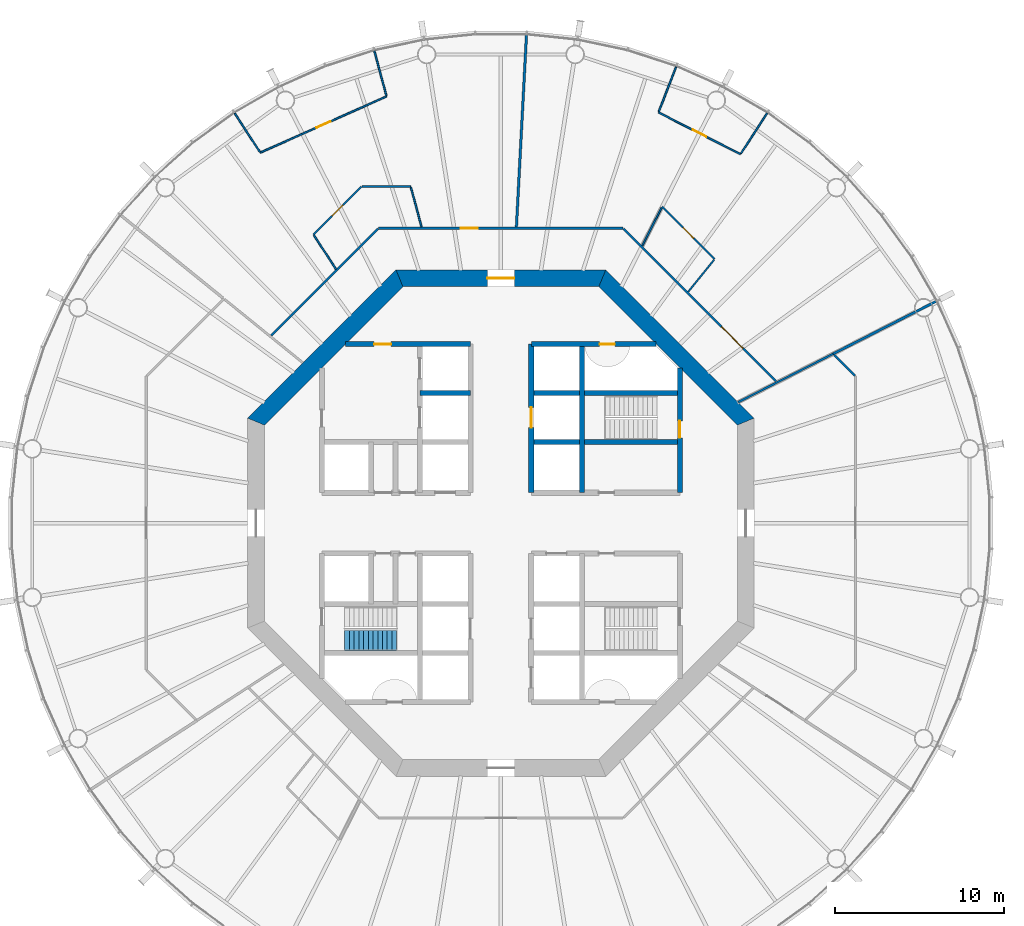
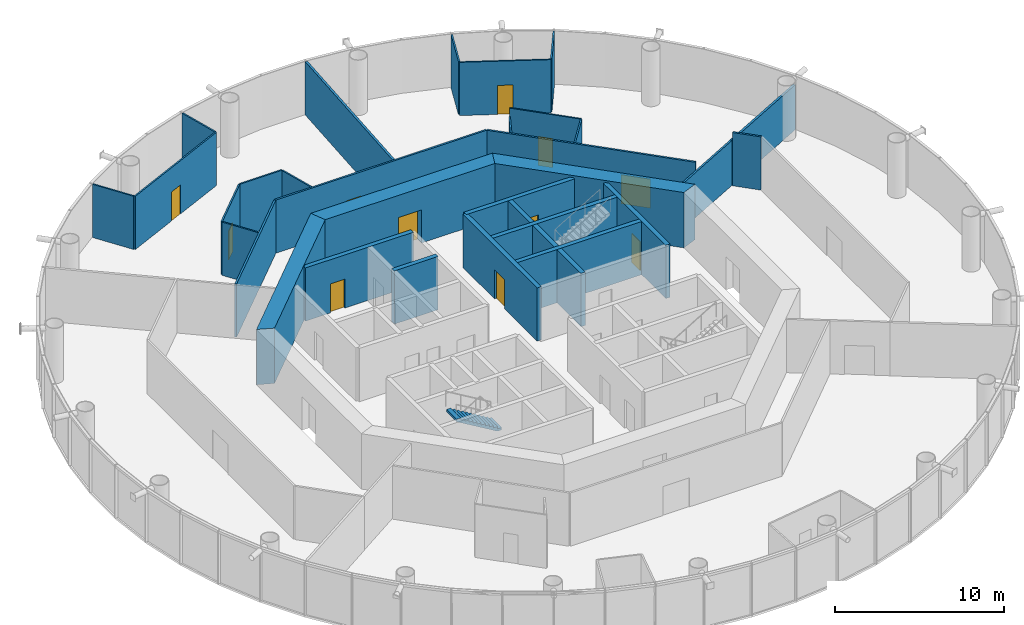
# One storey, part 5 of 17: 31 walls, 11 doors, 1 stair flight, 11 openings, 1 element without a shape of its own.
"""IFC4 building model written with IfcOpenShell, lengths in metres."""

from ifc_helpers import new_model, si_unit, direction, frame, frame_2d, origin, place, context, subcontext, project, spatial, polyline, rectangle, outline, extrude, material, layer, layer_set, type_object, element, fill, aggregate, save


model = new_model("IFC4")

# Units and contexts
model_context = context("Model", 3, precision=1e-05, world=origin(), true_north=direction((0.0, 1.0)))
body_context = subcontext(model_context, "Body", "Model", "MODEL_VIEW")
ifc_project = project(units=[si_unit("LENGTHUNIT", "METRE"), si_unit("AREAUNIT", "SQUARE_METRE"), si_unit("VOLUMEUNIT", "CUBIC_METRE"), si_unit("PLANEANGLEUNIT", "RADIAN"), si_unit("MASSUNIT", "GRAM", prefix="KILO")], contexts=[model_context])

# Site, building, storey
site_placement = place(None, origin())
site = spatial("IfcSite", under=ifc_project, at=site_placement, CompositionType="ELEMENT")
building_placement = place(site_placement, origin())
building = spatial("IfcBuilding", under=site, at=building_placement, Name="Entoto Ring Tower", CompositionType="ELEMENT")
storey_placement = place(building_placement, frame((0.0, 0.0, 160.0)))
storey = spatial("IfcBuildingStorey", under=building, at=storey_placement, Name="L36", CompositionType="ELEMENT", Elevation=160.0)

# Wall, opening, door
ifc_material_1 = material(Name="Concrete C40/50", Category="concrete")
ifc_layer_1 = layer(ifc_material_1, 0.300048828125)
ifc_layer_set_1 = layer_set([ifc_layer_1], Name="Concrete C40/50")
wall_type_1 = type_object("IfcWallType", Name="Core enclosure wall 300 mm reinforced concrete", PredefinedType="SOLIDWALL", material=ifc_layer_set_1)
wall_1_placement = place(storey_placement, frame((100.60009765625, 81.800048828125, 0.0), z_axis=(0.0, 0.0, 1.0), x_axis=(0.0, 1.0, 0.0)))
wall_1 = element("IfcWall", 1, at=wall_1_placement, inside=storey, type_object=wall_type_1, Name="wall-L36-002", PredefinedType="SOLIDWALL", context=body_context, shape_type="SweptSolid", body=[
    extrude(rectangle(XDim=7.39892578125, YDim=0.300048828125, at=frame_2d((3.699462890625, 0.0))), origin(), (0.0, 0.0, 1.0), 3.85009765625),
])
opening_1_placement = place(wall_1_placement, frame((3.25, 0.0, 0.0)))
opening_1 = element("IfcOpeningElement", 2, at=opening_1_placement, cuts=wall_1, Name="Opening K-17", PredefinedType="OPENING", context=body_context, shape_type="SweptSolid", body=[
    extrude(rectangle(XDim=1.0, YDim=2.10009765625, at=frame_2d((0.5, 1.050048828125))), frame((0.0, 0.16015625, 0.0), z_axis=(0.0, -1.0, 0.0), x_axis=(1.0, 0.0, 0.0)), (0.0, 0.0, 1.0), 0.320068359375),
])
ifc_material_2 = material(Name="Steel door leaf, fire rated", Category="steel")
ifc_layer_2 = layer(ifc_material_2, 0.050048828125)
ifc_layer_set_2 = layer_set([ifc_layer_2], Name="Steel door leaf, fire rated")
door_type_1 = type_object("IfcDoorType", Name="Fire door FD60 1000 x 2100 single leaf", OperationType="NOTDEFINED", PredefinedType="DOOR", material=ifc_layer_set_2)
door_1_placement = place(opening_1_placement, origin())
door_1 = element("IfcDoor", 3, at=door_1_placement, inside=storey, type_object=door_type_1, Name="Door K-17", OperationType="SINGLE_SWING_LEFT", OverallHeight=2.10009765625, OverallWidth=1.0, PredefinedType="DOOR", context=body_context, shape_type="SweptSolid", body=[
    extrude(rectangle(XDim=1.0, YDim=2.10009765625, at=frame_2d((0.5, 1.050048828125))), frame((0.0, 0.02490234375, 0.0), z_axis=(0.0, -1.0, 0.0), x_axis=(1.0, 0.0, 0.0)), (0.0, 0.0, 1.0), 0.050048828125),
])
fill(opening_1, door_1)

# Wall
wall_2_placement = place(storey_placement, frame((94.800048828125, 81.800048828125, 0.0), z_axis=(0.0, 0.0, 1.0), x_axis=(0.0, 1.0, 0.0)))
element("IfcWall", 4, at=wall_2_placement, inside=storey, type_object=wall_type_1, Name="wall-L36-004", PredefinedType="SOLIDWALL", context=body_context, shape_type="SweptSolid", body=[
    extrude(rectangle(XDim=8.800048828125, YDim=0.300048828125, at=frame_2d((4.39990234375, 0.0))), origin(), (0.0, 0.0, 1.0), 3.85009765625),
])

# Wall, opening, door
wall_3_placement = place(storey_placement, frame((91.800048828125, 81.800048828125, 0.0), z_axis=(0.0, 0.0, 1.0), x_axis=(0.0, 1.0, 0.0)))
wall_3 = element("IfcWall", 5, at=wall_3_placement, inside=storey, type_object=wall_type_1, Name="wall-L36-006", PredefinedType="SOLIDWALL", context=body_context, shape_type="SweptSolid", body=[
    extrude(rectangle(XDim=8.800048828125, YDim=0.300048828125, at=frame_2d((4.39990234375, 0.0))), origin(), (0.0, 0.0, 1.0), 3.85009765625),
])
opening_2_placement = place(wall_3_placement, frame((3.85009765625, 0.0, 0.0)))
opening_2 = element("IfcOpeningElement", 6, at=opening_2_placement, cuts=wall_3, Name="Opening LD", PredefinedType="OPENING", context=body_context, shape_type="SweptSolid", body=[
    extrude(rectangle(XDim=1.199951171875, YDim=2.10009765625, at=frame_2d((0.60009765625, 1.050048828125))), frame((0.0, 0.16015625, 0.0), z_axis=(0.0, -1.0, 0.0), x_axis=(1.0, 0.0, 0.0)), (0.0, 0.0, 1.0), 0.320068359375),
])
ifc_material_3 = material(Name="Steel and glass door leaf", Category="steel")
ifc_layer_3 = layer(ifc_material_3, 0.050048828125)
ifc_layer_set_3 = layer_set([ifc_layer_3], Name="Steel and glass door leaf")
door_type_2 = type_object("IfcDoorType", Name="Landing door 1200 x 2100 sliding", OperationType="DOUBLE_DOOR_SLIDING", PredefinedType="DOOR", material=ifc_layer_set_3)
door_2_placement = place(opening_2_placement, origin())
door_2 = element("IfcDoor", 7, at=door_2_placement, inside=storey, type_object=door_type_2, Name="Landing door LB1-MR", OperationType="SLIDING_TO_RIGHT", OverallHeight=2.10009765625, OverallWidth=1.199951171875, PredefinedType="DOOR", context=body_context, shape_type="SweptSolid", body=[
    extrude(rectangle(XDim=1.199951171875, YDim=2.10009765625, at=frame_2d((0.60009765625, 1.050048828125))), frame((0.0, 0.02490234375, 0.0), z_axis=(0.0, -1.0, 0.0), x_axis=(1.0, 0.0, 0.0)), (0.0, 0.0, 1.0), 0.050048828125),
])
fill(opening_2, door_2)

# Walls
wall_4_placement = place(storey_placement, frame((91.800048828125, 84.800048828125, 0.0), z_axis=(0.0, 0.0, 1.0), x_axis=(1.0, 0.0, 0.0)))
element("IfcWall", 8, at=wall_4_placement, inside=storey, type_object=wall_type_1, Name="wall-L36-028", PredefinedType="SOLIDWALL", context=body_context, shape_type="SweptSolid", body=[
    extrude(rectangle(XDim=8.800048828125, YDim=0.300048828125, at=frame_2d((4.39990234375, 0.0))), origin(), (0.0, 0.0, 1.0), 3.85009765625),
])
wall_5_placement = place(storey_placement, frame((85.199951171875, 87.699951171875, 0.0), z_axis=(0.0, 0.0, 1.0), x_axis=(1.0, 0.0, 0.0)))
element("IfcWall", 9, at=wall_5_placement, inside=storey, type_object=wall_type_1, Name="wall-L36-029", PredefinedType="SOLIDWALL", context=body_context, shape_type="SweptSolid", body=[
    extrude(rectangle(XDim=3.0, YDim=0.300048828125, at=frame_2d((1.5, 0.0))), origin(), (0.0, 0.0, 1.0), 3.85009765625),
])
wall_6_placement = place(storey_placement, frame((91.800048828125, 87.699951171875, 0.0), z_axis=(0.0, 0.0, 1.0), x_axis=(1.0, 0.0, 0.0)))
element("IfcWall", 10, at=wall_6_placement, inside=storey, type_object=wall_type_1, Name="wall-L36-030", PredefinedType="SOLIDWALL", context=body_context, shape_type="SweptSolid", body=[
    extrude(rectangle(XDim=8.800048828125, YDim=0.300048828125, at=frame_2d((4.39990234375, 0.0))), origin(), (0.0, 0.0, 1.0), 3.85009765625),
])

# Wall, opening, door
wall_7_placement = place(storey_placement, frame((80.801025390625, 90.60009765625, 0.0), z_axis=(0.0, 0.0, 1.0), x_axis=(1.0, 0.0, 0.0)))
wall_7 = element("IfcWall", 11, at=wall_7_placement, inside=storey, type_object=wall_type_1, Name="wall-L36-031", PredefinedType="SOLIDWALL", context=body_context, shape_type="SweptSolid", body=[
    extrude(rectangle(XDim=7.39892578125, YDim=0.300048828125, at=frame_2d((3.699462890625, 0.0))), origin(), (0.0, 0.0, 1.0), 3.85009765625),
])
opening_3_placement = place(wall_7_placement, frame((1.698974609375, 0.0, 0.0)))
opening_3 = element("IfcOpeningElement", 12, at=opening_3_placement, cuts=wall_7, Name="Opening K-73", PredefinedType="OPENING", context=body_context, shape_type="SweptSolid", body=[
    extrude(rectangle(XDim=1.0, YDim=2.10009765625, at=frame_2d((0.5, 1.050048828125))), frame((0.0, 0.16015625, 0.0), z_axis=(0.0, -1.0, 0.0), x_axis=(1.0, 0.0, 0.0)), (0.0, 0.0, 1.0), 0.320068359375),
])
door_3_placement = place(opening_3_placement, frame((1.0, 0.0, 0.0), z_axis=(0.0, 0.0, 1.0), x_axis=(-1.0, 0.0, 0.0)))
door_3 = element("IfcDoor", 13, at=door_3_placement, inside=storey, type_object=door_type_1, Name="Door K-73", OperationType="SINGLE_SWING_LEFT", OverallHeight=2.10009765625, OverallWidth=1.0, PredefinedType="DOOR", context=body_context, shape_type="SweptSolid", body=[
    extrude(rectangle(XDim=1.0, YDim=2.10009765625, at=frame_2d((0.5, 1.050048828125))), frame((0.0, 0.02490234375, 0.0), z_axis=(0.0, -1.0, 0.0), x_axis=(1.0, 0.0, 0.0)), (0.0, 0.0, 1.0), 0.050048828125),
])
fill(opening_3, door_3)

wall_8_placement = place(storey_placement, frame((91.800048828125, 90.60009765625, 0.0), z_axis=(0.0, 0.0, 1.0), x_axis=(1.0, 0.0, 0.0)))
wall_8 = element("IfcWall", 14, at=wall_8_placement, inside=storey, type_object=wall_type_1, Name="wall-L36-032", PredefinedType="SOLIDWALL", context=body_context, shape_type="SweptSolid", body=[
    extrude(rectangle(XDim=7.39892578125, YDim=0.300048828125, at=frame_2d((3.699462890625, 0.0))), origin(), (0.0, 0.0, 1.0), 3.85009765625),
])
opening_4_placement = place(wall_8_placement, frame((4.050048828125, 0.0, 0.0)))
opening_4 = element("IfcOpeningElement", 15, at=opening_4_placement, cuts=wall_8, Name="Opening K-20", PredefinedType="OPENING", context=body_context, shape_type="SweptSolid", body=[
    extrude(rectangle(XDim=0.89990234375, YDim=2.10009765625, at=frame_2d((0.449951171875, 1.050048828125))), frame((0.0, 0.16015625, 0.0), z_axis=(0.0, -1.0, 0.0), x_axis=(1.0, 0.0, 0.0)), (0.0, 0.0, 1.0), 0.320068359375),
])
ifc_material_4 = material(Name="Steel door leaf, fire rated", Category="steel")
ifc_layer_4 = layer(ifc_material_4, 0.050048828125)
ifc_layer_set_4 = layer_set([ifc_layer_4], Name="Steel door leaf, fire rated")
door_type_3 = type_object("IfcDoorType", Name="Riser door FD60 900 x 2100 single leaf", OperationType="NOTDEFINED", PredefinedType="DOOR", material=ifc_layer_set_4)
door_4_placement = place(opening_4_placement, frame((0.89990234375, 0.0, 0.0), z_axis=(0.0, 0.0, 1.0), x_axis=(-1.0, 0.0, 0.0)))
door_4 = element("IfcDoor", 16, at=door_4_placement, inside=storey, type_object=door_type_3, Name="Door K-20", OperationType="SINGLE_SWING_RIGHT", OverallHeight=2.10009765625, OverallWidth=0.89990234375, PredefinedType="DOOR", context=body_context, shape_type="SweptSolid", body=[
    extrude(rectangle(XDim=0.89990234375, YDim=2.10009765625, at=frame_2d((0.449951171875, 1.050048828125))), frame((0.0, 0.02490234375, 0.0), z_axis=(0.0, -1.0, 0.0), x_axis=(1.0, 0.0, 0.0)), (0.0, 0.0, 1.0), 0.050048828125),
])
fill(opening_4, door_4)

# Wall
ifc_material_5 = material(Name="Concrete C50/60", Category="concrete")
ifc_layer_5 = layer(ifc_material_5, 1.0)
ifc_layer_set_5 = layer_set([ifc_layer_5], Name="Concrete C50/60")
wall_type_2 = type_object("IfcWallType", Name="Core shear wall 1000 mm reinforced concrete C50/60", PredefinedType="SHEAR", material=ifc_layer_set_5)
wall_9_placement = place(storey_placement, frame((104.5, 86.006103515625, 0.0), z_axis=(0.0, 0.0, 1.0), x_axis=(-0.707106781187, 0.707106781187, 0.0)))
element("IfcWall", 17, at=wall_9_placement, inside=storey, type_object=wall_type_2, Name="wall-L36-core-1", PredefinedType="SHEAR", context=body_context, shape_type="SweptSolid", body=[
    extrude(outline(polyline([(-0.20703125, -0.5), (12.21923828125, -0.5), (11.80517578125, 0.5), (0.20703125, 0.5), (-0.20703125, -0.5)])), origin(), (0.0, 0.0, 1.0), 4.0),
])

# Wall, opening, door
wall_10_placement = place(storey_placement, frame((96.006103515625, 94.5, 0.0), z_axis=(0.0, 0.0, 1.0), x_axis=(-1.0, 0.0, 0.0)))
wall_10 = element("IfcWall", 18, at=wall_10_placement, inside=storey, type_object=wall_type_2, Name="wall-L36-core-2", PredefinedType="SHEAR", context=body_context, shape_type="SweptSolid", body=[
    extrude(outline(polyline([(-0.20703125, -0.5), (12.21923828125, -0.5), (11.80517578125, 0.5), (0.20703125, 0.5), (-0.20703125, -0.5)])), origin(), (0.0, 0.0, 1.0), 4.0),
])
opening_5_placement = place(wall_10_placement, frame((5.2060546875, 0.0, 0.0)))
opening_5 = element("IfcOpeningElement", 19, at=opening_5_placement, cuts=wall_10, Name="Opening K-02", PredefinedType="OPENING", context=body_context, shape_type="SweptSolid", body=[
    extrude(rectangle(XDim=1.60009765625, YDim=2.39990234375, at=frame_2d((0.800048828125, 1.199951171875))), frame((0.0, 0.510009765625, 0.0), z_axis=(0.0, -1.0, 0.0), x_axis=(1.0, 0.0, 0.0)), (0.0, 0.0, 1.0), 1.02001953125),
])
ifc_material_6 = material(Name="Steel door leaf, fire rated", Category="steel")
ifc_layer_6 = layer(ifc_material_6, 0.050048828125)
ifc_layer_set_6 = layer_set([ifc_layer_6], Name="Steel door leaf, fire rated")
door_type_4 = type_object("IfcDoorType", Name="Entrance door FD60 1600 x 2400 double leaf", OperationType="DOUBLE_DOOR_SINGLE_SWING", PredefinedType="DOOR", material=ifc_layer_set_6)
door_5_placement = place(opening_5_placement, origin())
door_5 = element("IfcDoor", 20, at=door_5_placement, inside=storey, type_object=door_type_4, Name="Entrance door K-02", OperationType="DOUBLE_DOOR_SINGLE_SWING", OverallHeight=2.39990234375, OverallWidth=1.60009765625, PredefinedType="DOOR", context=body_context, shape_type="SweptSolid", body=[
    extrude(rectangle(XDim=1.60009765625, YDim=2.39990234375, at=frame_2d((0.800048828125, 1.199951171875))), frame((0.0, 0.02490234375, 0.0), z_axis=(0.0, -1.0, 0.0), x_axis=(1.0, 0.0, 0.0)), (0.0, 0.0, 1.0), 0.050048828125),
])
fill(opening_5, door_5)

# Wall
wall_11_placement = place(storey_placement, frame((83.993896484375, 94.5, 0.0), z_axis=(0.0, 0.0, 1.0), x_axis=(-0.707106781187, -0.707106781187, 0.0)))
element("IfcWall", 21, at=wall_11_placement, inside=storey, type_object=wall_type_2, Name="wall-L36-core-3", PredefinedType="SHEAR", context=body_context, shape_type="SweptSolid", body=[
    extrude(outline(polyline([(-0.20703125, -0.5), (12.21923828125, -0.5), (11.80517578125, 0.5), (0.20703125, 0.5), (-0.20703125, -0.5)])), origin(), (0.0, 0.0, 1.0), 4.0),
])

# Wall, opening, door
ifc_material_7 = material(Name="Fire-resisting plasterboard on steel studs", Category="steel")
ifc_layer_7 = layer(ifc_material_7, 0.125)
ifc_layer_set_7 = layer_set([ifc_layer_7], Name="Fire-resisting plasterboard on steel studs")
wall_type_3 = type_object("IfcWallType", Name="Corridor wall 125 mm one-hour plasterboard on steel studs", PredefinedType="PARTITIONING", material=ifc_layer_set_7)
wall_12_placement = place(storey_placement, frame((82.766845703125, 97.46240234375, 0.0), z_axis=(0.0, 0.0, 1.0), x_axis=(1.0, 0.0, 0.0)))
wall_12 = element("IfcWall", 22, at=wall_12_placement, inside=storey, type_object=wall_type_3, Name="partition-L36-004", PredefinedType="PARTITIONING", context=body_context, shape_type="SweptSolid", body=[
    extrude(rectangle(XDim=14.46630859375, YDim=0.125, at=frame_2d((7.233154296875, 0.0))), origin(), (0.0, 0.0, 1.0), 3.85009765625),
])
opening_6_placement = place(wall_12_placement, frame((4.851318359375, 0.0, 0.0)))
opening_6 = element("IfcOpeningElement", 23, at=opening_6_placement, cuts=wall_12, Name="Opening A16-D06", PredefinedType="OPENING", context=body_context, shape_type="SweptSolid", body=[
    extrude(rectangle(XDim=1.0, YDim=2.10009765625, at=frame_2d((0.5, 1.050048828125))), frame((0.0, 0.072509765625, 0.0), z_axis=(0.0, -1.0, 0.0), x_axis=(1.0, 0.0, 0.0)), (0.0, 0.0, 1.0), 0.14501953125),
])
ifc_material_8 = material(Name="Fire-resisting timber door set", Category="wood")
door_type_5 = type_object("IfcDoorType", Name="Door 1000 x 2100 single leaf FD30S fire door", OperationType="NOTDEFINED", PredefinedType="DOOR", material=ifc_material_8)
door_6_placement = place(opening_6_placement, origin())
door_6 = element("IfcDoor", 24, at=door_6_placement, inside=storey, type_object=door_type_5, Name="Door A16-D06", OperationType="SINGLE_SWING_RIGHT", OverallHeight=2.10009765625, OverallWidth=1.0, PredefinedType="DOOR", context=body_context, shape_type="SweptSolid", body=[
    extrude(rectangle(XDim=1.0, YDim=2.10009765625, at=frame_2d((0.5, 1.050048828125))), frame((0.0, 0.02490234375, 0.0), z_axis=(0.0, -1.0, 0.0), x_axis=(1.0, 0.0, 0.0)), (0.0, 0.0, 1.0), 0.050048828125),
])
fill(opening_6, door_6)

wall_13_placement = place(storey_placement, frame((106.29931640625, 88.396484375, 0.0), z_axis=(0.0, 0.0, 1.0), x_axis=(-0.707106781187, 0.707106781187, 0.0)))
wall_13 = element("IfcWall", 25, at=wall_13_placement, inside=storey, type_object=wall_type_3, Name="partition-L36-005", PredefinedType="PARTITIONING", context=body_context, shape_type="SweptSolid", body=[
    extrude(rectangle(XDim=12.77734375, YDim=0.125, at=frame_2d((6.388671875, 0.0))), origin(), (0.0, 0.0, 1.0), 3.85009765625),
])
opening_7_placement = place(wall_13_placement, frame((2.768798828125, 0.0, 0.0)))
opening_7 = element("IfcOpeningElement", 26, at=opening_7_placement, cuts=wall_13, Name="Opening A16-D03", PredefinedType="OPENING", context=body_context, shape_type="SweptSolid", body=[
    extrude(rectangle(XDim=1.800048828125, YDim=2.10009765625, at=frame_2d((0.89990234375, 1.050048828125))), frame((0.0, 0.072509765625, 0.0), z_axis=(0.0, -1.0, 0.0), x_axis=(1.0, 0.0, 0.0)), (0.0, 0.0, 1.0), 0.14501953125),
])
ifc_material_9 = material(Name="Fire-resisting timber door set", Category="wood")
door_type_6 = type_object("IfcDoorType", Name="Door 1800 x 2100 double leaf FD30S fire door", OperationType="DOUBLE_DOOR_SINGLE_SWING", PredefinedType="DOOR", material=ifc_material_9)
door_7_placement = place(opening_7_placement, frame((1.800048828125, 0.0, 0.0), z_axis=(0.0, 0.0, 1.0), x_axis=(-1.0, 0.0, 0.0)))
door_7 = element("IfcDoor", 27, at=door_7_placement, inside=storey, type_object=door_type_6, Name="Door A16-D03", OperationType="DOUBLE_DOOR_SINGLE_SWING", OverallHeight=2.10009765625, OverallWidth=1.800048828125, PredefinedType="DOOR", context=body_context, shape_type="SweptSolid", body=[
    extrude(rectangle(XDim=1.800048828125, YDim=2.10009765625, at=frame_2d((0.89990234375, 1.050048828125))), frame((0.0, 0.02490234375, 0.0), z_axis=(0.0, -1.0, 0.0), x_axis=(1.0, 0.0, 0.0)), (0.0, 0.0, 1.0), 0.050048828125),
])
fill(opening_7, door_7)

# Walls
wall_14_placement = place(storey_placement, frame((76.4033203125, 91.09912109375, 0.0), z_axis=(0.0, 0.0, 1.0), x_axis=(0.707106781187, 0.707106781187, 0.0)))
element("IfcWall", 28, at=wall_14_placement, inside=storey, type_object=wall_type_3, Name="partition-L36-008", PredefinedType="PARTITIONING", context=body_context, shape_type="SweptSolid", body=[
    extrude(rectangle(XDim=8.955078125, YDim=0.125, at=frame_2d((4.4775390625, 0.0))), origin(), (0.0, 0.0, 1.0), 3.85009765625),
])
wall_15_placement = place(storey_placement, frame((110.968994140625, 88.7294921875, 0.0), z_axis=(0.0, 0.0, 1.0), x_axis=(-0.707106781187, 0.707106781187, 0.0)))
element("IfcWall", 29, at=wall_15_placement, inside=storey, type_object=wall_type_3, Name="partition-L36-016", PredefinedType="PARTITIONING", context=body_context, shape_type="SweptSolid", body=[
    extrude(rectangle(XDim=1.732177734375, YDim=0.125, at=frame_2d((0.8662109375, 0.0))), origin(), (0.0, 0.0, 1.0), 3.85009765625),
])
ifc_material_10 = material(Name="Fire-resisting plasterboard on steel studs", Category="steel")
ifc_layer_8 = layer(ifc_material_10, 0.125)
ifc_layer_set_8 = layer_set([ifc_layer_8], Name="Fire-resisting plasterboard on steel studs")
wall_type_4 = type_object("IfcWallType", Name="Corridor wall 125 mm one-hour plasterboard on steel studs, 3250 mm high", PredefinedType="PARTITIONING", material=ifc_layer_set_8)
wall_16_placement = place(storey_placement, frame((104.052978515625, 87.160400390625, 0.0), z_axis=(0.0, 0.0, 1.0), x_axis=(0.891011438751, 0.453980854238, 0.0)))
element("IfcWall", 30, at=wall_16_placement, inside=storey, type_object=wall_type_4, Name="partition-L36-010", PredefinedType="PARTITIONING", context=body_context, shape_type="SweptSolid", body=[
    extrude(rectangle(XDim=6.30859375, YDim=0.125, at=frame_2d((3.154296875, 0.0))), origin(), (0.0, 0.0, 1.0), 3.25),
])

# Wall, opening, door
ifc_material_11 = material(Name="Plasterboard on steel studs", Category="steel")
ifc_layer_9 = layer(ifc_material_11, 0.10009765625)
ifc_layer_set_9 = layer_set([ifc_layer_9], Name="Plasterboard on steel studs")
wall_type_5 = type_object("IfcWallType", Name="Partition 100 mm plasterboard on steel studs", PredefinedType="PARTITIONING", material=ifc_layer_set_9)
wall_17_placement = place(storey_placement, frame((75.752197265625, 101.939697265625, 0.0), z_axis=(0.0, 0.0, 1.0), x_axis=(0.913551816453, 0.406722360652, 0.0)))
wall_17 = element("IfcWall", 31, at=wall_17_placement, inside=storey, type_object=wall_type_5, Name="partition-L36-022", PredefinedType="PARTITIONING", context=body_context, shape_type="SweptSolid", body=[
    extrude(rectangle(XDim=8.1845703125, YDim=0.10009765625, at=frame_2d((4.09228515625, 0.0))), origin(), (0.0, 0.0, 1.0), 3.85009765625),
])
opening_8_placement = place(wall_17_placement, frame((3.642333984375, 0.0, 0.0)))
opening_8 = element("IfcOpeningElement", 32, at=opening_8_placement, cuts=wall_17, Name="Opening A16-D08", PredefinedType="OPENING", context=body_context, shape_type="SweptSolid", body=[
    extrude(rectangle(XDim=0.89990234375, YDim=2.10009765625, at=frame_2d((0.449951171875, 1.050048828125))), frame((0.0, 0.06005859375, 0.0), z_axis=(0.0, -1.0, 0.0), x_axis=(1.0, 0.0, 0.0)), (0.0, 0.0, 1.0), 0.1201171875),
])
ifc_material_12 = material(Name="Veneered timber door leaf in timber frame", Category="wood")
door_type_7 = type_object("IfcDoorType", Name="Door 900 x 2100 single leaf timber veneer", OperationType="NOTDEFINED", PredefinedType="DOOR", material=ifc_material_12)
door_8_placement = place(opening_8_placement, origin())
door_8 = element("IfcDoor", 33, at=door_8_placement, inside=storey, type_object=door_type_7, Name="Door A16-D08", OperationType="SINGLE_SWING_LEFT", OverallHeight=2.10009765625, OverallWidth=0.89990234375, PredefinedType="DOOR", context=body_context, shape_type="SweptSolid", body=[
    extrude(rectangle(XDim=0.89990234375, YDim=2.10009765625, at=frame_2d((0.449951171875, 1.050048828125))), frame((0.0, 0.02490234375, 0.0), z_axis=(0.0, -1.0, 0.0), x_axis=(1.0, 0.0, 0.0)), (0.0, 0.0, 1.0), 0.050048828125),
])
fill(opening_8, door_8)

wall_18_placement = place(storey_placement, frame((104.187744140625, 101.847412109375, 0.0), z_axis=(0.0, 0.0, 1.0), x_axis=(-0.891003229328, 0.453996966209, 0.0)))
wall_18 = element("IfcWall", 34, at=wall_18_placement, inside=storey, type_object=wall_type_5, Name="partition-L36-024", PredefinedType="PARTITIONING", context=body_context, shape_type="SweptSolid", body=[
    extrude(rectangle(XDim=5.44580078125, YDim=0.10009765625, at=frame_2d((2.722900390625, 0.0))), origin(), (0.0, 0.0, 1.0), 3.85009765625),
])
opening_9_placement = place(wall_18_placement, frame((2.27294921875, 0.0, 0.0)))
opening_9 = element("IfcOpeningElement", 35, at=opening_9_placement, cuts=wall_18, Name="Opening A16-D05", PredefinedType="OPENING", context=body_context, shape_type="SweptSolid", body=[
    extrude(rectangle(XDim=0.89990234375, YDim=2.10009765625, at=frame_2d((0.449951171875, 1.050048828125))), frame((0.0, 0.06005859375, 0.0), z_axis=(0.0, -1.0, 0.0), x_axis=(1.0, 0.0, 0.0)), (0.0, 0.0, 1.0), 0.1201171875),
])
door_9_placement = place(opening_9_placement, frame((0.89990234375, 0.0, 0.0), z_axis=(0.0, 0.0, 1.0), x_axis=(-1.0, 0.0, 0.0)))
door_9 = element("IfcDoor", 36, at=door_9_placement, inside=storey, type_object=door_type_7, Name="Door A16-D05", OperationType="SINGLE_SWING_LEFT", OverallHeight=2.10009765625, OverallWidth=0.89990234375, PredefinedType="DOOR", context=body_context, shape_type="SweptSolid", body=[
    extrude(rectangle(XDim=0.89990234375, YDim=2.10009765625, at=frame_2d((0.449951171875, 1.050048828125))), frame((0.0, 0.02490234375, 0.0), z_axis=(0.0, -1.0, 0.0), x_axis=(1.0, 0.0, 0.0)), (0.0, 0.0, 1.0), 0.050048828125),
])
fill(opening_9, door_9)

wall_19_placement = place(storey_placement, frame((102.6572265625, 95.630615234375, 0.0), z_axis=(0.0, 0.0, 1.0), x_axis=(-0.707106781187, 0.707106781187, 0.0)))
wall_19 = element("IfcWall", 37, at=wall_19_placement, inside=storey, type_object=wall_type_5, Name="partition-L36-026", PredefinedType="PARTITIONING", context=body_context, shape_type="SweptSolid", body=[
    extrude(rectangle(XDim=4.396728515625, YDim=0.10009765625, at=frame_2d((2.1982421875, 0.0))), origin(), (0.0, 0.0, 1.0), 3.85009765625),
])
opening_10_placement = place(wall_19_placement, frame((1.748291015625, 0.0, 0.0)))
opening_10 = element("IfcOpeningElement", 38, at=opening_10_placement, cuts=wall_19, Name="Opening A16-D04", PredefinedType="OPENING", context=body_context, shape_type="SweptSolid", body=[
    extrude(rectangle(XDim=0.89990234375, YDim=2.10009765625, at=frame_2d((0.449951171875, 1.050048828125))), frame((0.0, 0.06005859375, 0.0), z_axis=(0.0, -1.0, 0.0), x_axis=(1.0, 0.0, 0.0)), (0.0, 0.0, 1.0), 0.1201171875),
])
door_10_placement = place(opening_10_placement, origin())
door_10 = element("IfcDoor", 39, at=door_10_placement, inside=storey, type_object=door_type_7, Name="Door A16-D04", OperationType="SINGLE_SWING_RIGHT", OverallHeight=2.10009765625, OverallWidth=0.89990234375, PredefinedType="DOOR", context=body_context, shape_type="SweptSolid", body=[
    extrude(rectangle(XDim=0.89990234375, YDim=2.10009765625, at=frame_2d((0.449951171875, 1.050048828125))), frame((0.0, 0.02490234375, 0.0), z_axis=(0.0, -1.0, 0.0), x_axis=(1.0, 0.0, 0.0)), (0.0, 0.0, 1.0), 0.050048828125),
])
fill(opening_10, door_10)

wall_20_placement = place(storey_placement, frame((78.901611328125, 97.09033203125, 0.0), z_axis=(0.0, 0.0, 1.0), x_axis=(0.707076410445, 0.707137150623, 0.0)))
wall_20 = element("IfcWall", 40, at=wall_20_placement, inside=storey, type_object=wall_type_5, Name="partition-L36-027", PredefinedType="PARTITIONING", context=body_context, shape_type="SweptSolid", body=[
    extrude(rectangle(XDim=4.01953125, YDim=0.10009765625, at=frame_2d((2.009765625, 0.0))), origin(), (0.0, 0.0, 1.0), 3.85009765625),
])
opening_11_placement = place(wall_20_placement, frame((1.559814453125, 0.0, 0.0)))
opening_11 = element("IfcOpeningElement", 41, at=opening_11_placement, cuts=wall_20, Name="Opening A16-D07", PredefinedType="OPENING", context=body_context, shape_type="SweptSolid", body=[
    extrude(rectangle(XDim=0.89990234375, YDim=2.10009765625, at=frame_2d((0.449951171875, 1.050048828125))), frame((0.0, 0.06005859375, 0.0), z_axis=(0.0, -1.0, 0.0), x_axis=(1.0, 0.0, 0.0)), (0.0, 0.0, 1.0), 0.1201171875),
])
door_11_placement = place(opening_11_placement, frame((0.89990234375, 0.0, 0.0), z_axis=(0.0, 0.0, 1.0), x_axis=(-1.0, 0.0, 0.0)))
door_11 = element("IfcDoor", 42, at=door_11_placement, inside=storey, type_object=door_type_7, Name="Door A16-D07", OperationType="SINGLE_SWING_RIGHT", OverallHeight=2.10009765625, OverallWidth=0.89990234375, PredefinedType="DOOR", context=body_context, shape_type="SweptSolid", body=[
    extrude(rectangle(XDim=0.89990234375, YDim=2.10009765625, at=frame_2d((0.449951171875, 1.050048828125))), frame((0.0, 0.02490234375, 0.0), z_axis=(0.0, -1.0, 0.0), x_axis=(1.0, 0.0, 0.0)), (0.0, 0.0, 1.0), 0.050048828125),
])
fill(opening_11, door_11)

# Walls
wall_21_placement = place(storey_placement, frame((81.77880859375, 99.9326171875, 0.0), z_axis=(0.0, 0.0, 1.0), x_axis=(1.0, 0.0, 0.0)))
element("IfcWall", 43, at=wall_21_placement, inside=storey, type_object=wall_type_5, Name="partition-L36-030", PredefinedType="PARTITIONING", context=body_context, shape_type="SweptSolid", body=[
    extrude(rectangle(XDim=2.88037109375, YDim=0.10009765625, at=frame_2d((1.440185546875, 0.0))), origin(), (0.0, 0.0, 1.0), 3.85009765625),
])
for number, where, z_axis, x_axis, name in (
    (44, (99.353271484375, 104.3662109375, 0.0), (0.0, 0.0, 1.0), (0.358356915228, 0.9335846621, 0.0), "partition-L36-031"),
    (45, (104.21484375, 101.888916015625, 0.0), (0.0, 0.0, 1.0), (0.544683174353, 0.838641901872, 0.0), "partition-L36-032"),
):
    element("IfcWall", number, at=place(storey_placement, frame(where, z_axis=z_axis, x_axis=x_axis)), inside=storey, type_object=wall_type_5, Name=name, PredefinedType="PARTITIONING", context=body_context, shape_type="SweptSolid", body=[
        extrude(rectangle(XDim=2.84033203125, YDim=0.10009765625, at=frame_2d((1.420166015625, 0.0))), origin(), (0.0, 0.0, 1.0), 3.85009765625),
    ])
for number, where, z_axis, x_axis, name in (
    (46, (75.725341796875, 101.98095703125, 0.0), (0.0, 0.0, 1.0), (-0.544674048397, 0.83864782895, 0.0), "partition-L36-033"),
    (47, (83.216552734375, 105.316162109375, 0.0), (0.0, 0.0, 1.0), (-0.258825461821, 0.965924106912, 0.0), "partition-L36-034"),
):
    element("IfcWall", number, at=place(storey_placement, frame(where, z_axis=z_axis, x_axis=x_axis)), inside=storey, type_object=wall_type_5, Name=name, PredefinedType="PARTITIONING", context=body_context, shape_type="SweptSolid", body=[
        extrude(rectangle(XDim=2.730712890625, YDim=0.10009765625, at=frame_2d((1.365234375, 0.0))), origin(), (0.0, 0.0, 1.0), 3.85009765625),
    ])
wall_22_placement = place(storey_placement, frame((85.30078125, 97.537841796875, 0.0), z_axis=(0.0, 0.0, 1.0), x_axis=(-0.258806364148, 0.965929224051, 0.0)))
element("IfcWall", 48, at=wall_22_placement, inside=storey, type_object=wall_type_5, Name="partition-L36-041", PredefinedType="PARTITIONING", context=body_context, shape_type="SweptSolid", body=[
    extrude(rectangle(XDim=2.430908203125, YDim=0.10009765625, at=frame_2d((1.21533203125, 0.0))), origin(), (0.0, 0.0, 1.0), 3.85009765625),
])
wall_23_placement = place(storey_placement, frame((101.093017578125, 93.698486328125, 0.0), z_axis=(0.0, 0.0, 1.0), x_axis=(0.629327945693, 0.777139843766, 0.0)))
element("IfcWall", 49, at=wall_23_placement, inside=storey, type_object=wall_type_5, Name="partition-L36-042", PredefinedType="PARTITIONING", context=body_context, shape_type="SweptSolid", body=[
    extrude(rectangle(XDim=2.436279296875, YDim=0.10009765625, at=frame_2d((1.21826171875, 0.0))), origin(), (0.0, 0.0, 1.0), 3.85009765625),
])
wall_24_placement = place(storey_placement, frame((80.236083984375, 95.034912109375, 0.0), z_axis=(0.0, 0.0, 1.0), x_axis=(-0.544620299585, 0.838682734579, 0.0)))
element("IfcWall", 50, at=wall_24_placement, inside=storey, type_object=wall_type_5, Name="partition-L36-043", PredefinedType="PARTITIONING", context=body_context, shape_type="SweptSolid", body=[
    extrude(rectangle(XDim=2.40185546875, YDim=0.10009765625, at=frame_2d((1.200927734375, 0.0))), origin(), (0.0, 0.0, 1.0), 3.85009765625),
])
ifc_material_13 = material(Name="Plasterboard on steel studs", Category="steel")
ifc_layer_10 = layer(ifc_material_13, 0.10009765625)
ifc_layer_set_10 = layer_set([ifc_layer_10], Name="Plasterboard on steel studs")
wall_type_6 = type_object("IfcWallType", Name="Partition 100 mm plasterboard on steel studs, 3250 mm high", PredefinedType="PARTITIONING", material=ifc_layer_set_10)
wall_25_placement = place(storey_placement, frame((98.372802734375, 96.432861328125, 0.0), z_axis=(0.0, 0.0, 1.0), x_axis=(0.454020100555, 0.8909914412, 0.0)))
element("IfcWall", 51, at=wall_25_placement, inside=storey, type_object=wall_type_6, Name="partition-L36-039", PredefinedType="PARTITIONING", context=body_context, shape_type="SweptSolid", body=[
    extrude(rectangle(XDim=2.520263671875, YDim=0.10009765625, at=frame_2d((1.26025390625, 0.0))), origin(), (0.0, 0.0, 1.0), 3.25),
])
ifc_material_14 = material(Name="Fire-resisting acoustic plasterboard on steel studs", Category="steel")
ifc_layer_11 = layer(ifc_material_14, 0.14990234375)
ifc_layer_set_11 = layer_set([ifc_layer_11], Name="Fire-resisting acoustic plasterboard on steel studs")
wall_type_7 = type_object("IfcWallType", Name="Party wall 150 mm one-hour acoustic plasterboard on steel studs", PredefinedType="PARTITIONING", material=ifc_layer_set_11)
wall_26_placement = place(storey_placement, frame((90.918701171875, 97.52880859375, 0.0), z_axis=(0.0, 0.0, 1.0), x_axis=(0.052334896944, 0.99862959027, 0.0)))
element("IfcWall", 52, at=wall_26_placement, inside=storey, type_object=wall_type_7, Name="partition-L36-017", PredefinedType="PARTITIONING", context=body_context, shape_type="SweptSolid", body=[
    extrude(rectangle(XDim=11.38720703125, YDim=0.14990234375, at=frame_2d((5.693603515625, 0.0))), origin(), (0.0, 0.0, 1.0), 3.85009765625),
])
ifc_material_15 = material(Name="Fire-resisting acoustic plasterboard on steel studs", Category="steel")
ifc_layer_12 = layer(ifc_material_15, 0.14990234375)
ifc_layer_set_12 = layer_set([ifc_layer_12], Name="Fire-resisting acoustic plasterboard on steel studs")
wall_type_8 = type_object("IfcWallType", Name="Party wall 150 mm one-hour acoustic plasterboard on steel studs, 3250 mm high", PredefinedType="PARTITIONING", material=ifc_layer_set_12)
wall_27_placement = place(storey_placement, frame((109.67431640625, 90.0244140625, 0.0), z_axis=(0.0, 0.0, 1.0), x_axis=(0.890998476184, 0.454006294492, 0.0)))
element("IfcWall", 53, at=wall_27_placement, inside=storey, type_object=wall_type_8, Name="partition-L36-021", PredefinedType="PARTITIONING", context=body_context, shape_type="SweptSolid", body=[
    extrude(rectangle(XDim=6.85888671875, YDim=0.14990234375, at=frame_2d((3.429443359375, 0.0))), origin(), (0.0, 0.0, 1.0), 3.25),
])

# Stair, stair flight
ifc_material_16 = material(Name="Concrete C40/50", Category="concrete")
stair_type = type_object("IfcStairType", Name="Exit stair 1200 mm dog-leg reinforced concrete", PredefinedType="HALF_TURN_STAIR", material=ifc_material_16)
stair_placement = place(storey_placement, origin())
stair = element("IfcStair", 54, at=stair_placement, inside=storey, type_object=stair_type, Name="Exit stair 2", PredefinedType="HALF_TURN_STAIR")
ifc_material_17 = material(Name="Concrete C40/50", Category="concrete")
stair_flight_type = type_object("IfcStairFlightType", Name="Stair flight 1200 mm reinforced concrete", PredefinedType="STRAIGHT", material=ifc_material_17)
stair_flight_placement = place(storey_placement, frame((83.830078125, 73.050048828125, 2.0), z_axis=(0.0, 0.0, 1.0), x_axis=(-1.0, 0.0, 0.0)))
stair_flight = element("IfcStairFlight", 55, at=stair_flight_placement, type_object=stair_flight_type, Name="ST2 flight 2", NumberOfRisers=12, NumberOfTreads=11, PredefinedType="STRAIGHT", RiserHeight=0.166666667, TreadLength=0.28, context=body_context, shape_type="SweptSolid", body=[
    extrude(outline(polyline([(0.0, 0.0), (0.0, 0.166748046875), (0.280029296875, 0.166748046875), (0.280029296875, 0.333251953125), (0.56005859375, 0.333251953125), (0.56005859375, 0.5), (0.840087890625, 0.5), (0.840087890625, 0.666748046875), (1.1201171875, 0.666748046875), (1.1201171875, 0.833251953125), (1.39990234375, 0.833251953125), (1.39990234375, 1.0), (1.679931640625, 1.0), (1.679931640625, 1.166748046875), (1.9599609375, 1.166748046875), (1.9599609375, 1.333251953125), (2.239990234375, 1.333251953125), (2.239990234375, 1.5), (2.52001953125, 1.5), (2.52001953125, 1.666748046875), (2.800048828125, 1.666748046875), (2.800048828125, 1.833251953125), (3.080078125, 1.833251953125), (3.080078125, 2.0), (3.080078125, 1.658935546875), (0.29296875, 0.0), (0.0, 0.0)])), frame((0.0, 0.60009765625, 0.0), z_axis=(0.0, -1.0, 0.0), x_axis=(1.0, 0.0, 0.0)), (0.0, 0.0, 1.0), 1.199951171875),
])
aggregate(stair, [stair_flight])

save(model, "model.ifc")
